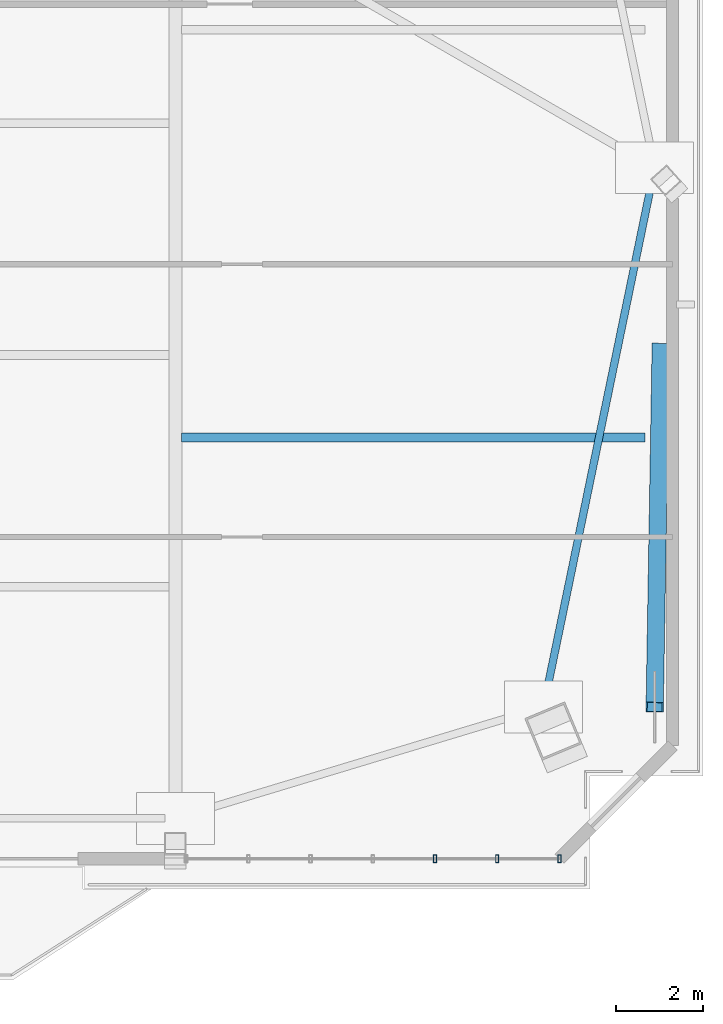
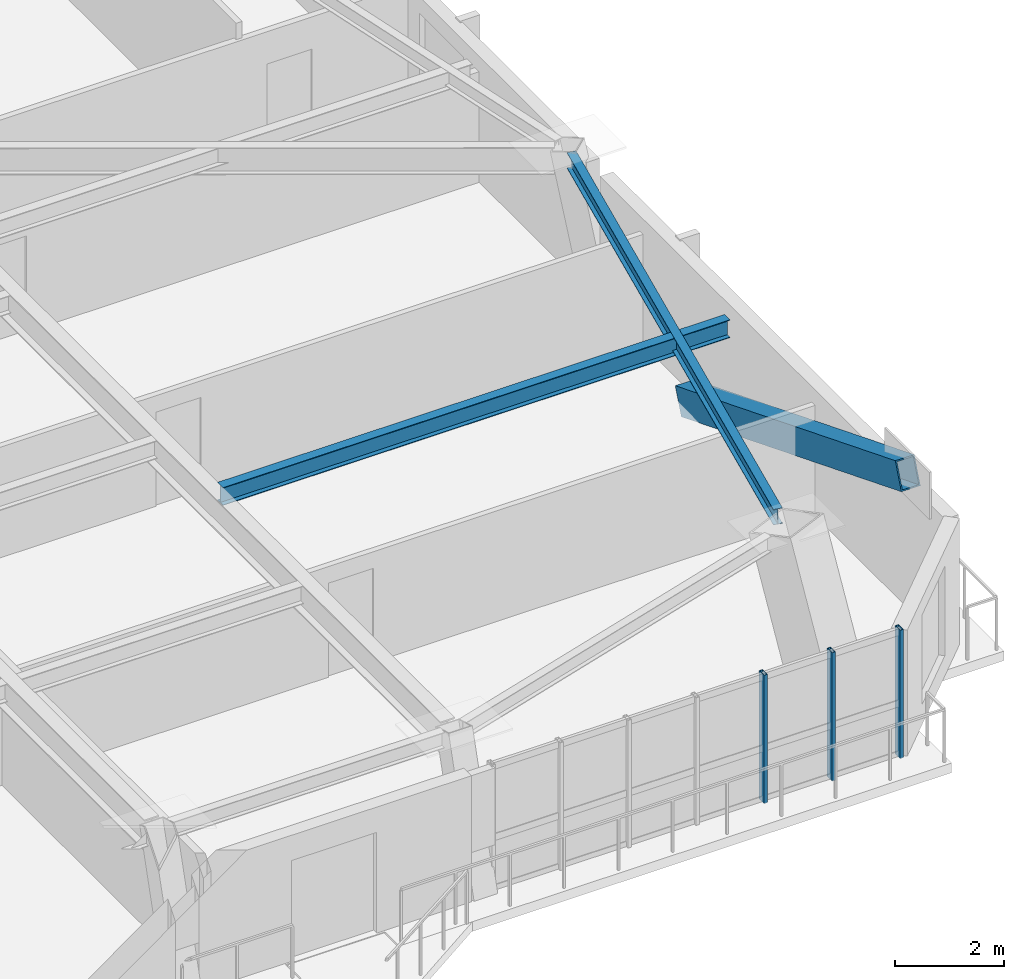
# One storey, part 6 of 16: 4 members, 2 beams, 1 element without a shape of its own.
"""IFC4 building model written with IfcOpenShell, lengths in metres."""

import ifcopenshell
import ifcopenshell.guid

model = None  # the IFC model being written
_history = None  # IfcOwnerHistory: only IFC2X3 demands one
_inside = {}  # id of a spatial element -> (the spatial element, [elements in it])
_under = {}  # id of a project, library or spatial element -> (it, [spatial elements below it])
_declared = {}  # id of a project -> (the project, [libraries it declares])
_typed = {}  # id of a type object -> (the type object, [elements of that type])
_made_of = {}  # id of a material, layer set ... -> (it, [elements and type objects made of it])


def new_model(schema):
    """Start an empty IFC model of exactly this schema.

    Asked for "IFC4X3", IfcOpenShell would pick the latest addendum, in which some entities
    have other attributes; the version numbers below select the first issue.
    IFC2X3 requires an IfcOwnerHistory on every rooted entity: one is made here for all.
    """
    global model, _history
    if schema == "IFC4X3":
        model = ifcopenshell.file(schema_version=(4, 3, 0, 0))
    else:
        model = ifcopenshell.file(schema=schema)
    _inside.clear()
    _under.clear()
    _declared.clear()
    _typed.clear()
    _made_of.clear()
    _history = None
    if model.schema == "IFC2X3":
        org = make("IfcOrganization", Name="unknown")
        user = make(
            "IfcPersonAndOrganization",
            ThePerson=make("IfcPerson", FamilyName="unknown"),
            TheOrganization=org,
        )
        app = make(
            "IfcApplication",
            ApplicationDeveloper=org,
            Version="unknown",
            ApplicationFullName="unknown",
            ApplicationIdentifier="unknown",
        )
        _history = make(
            "IfcOwnerHistory",
            OwningUser=user,
            OwningApplication=app,
            ChangeAction="ADDED",
            CreationDate=0,
        )
    return model


def make(cls, **values):
    """One entity of the class cls with the attributes given. An attribute that is None is left unset."""
    return model.create_entity(
        cls, **{name: value for name, value in values.items() if value is not None}
    )


def rooted(cls, **values):
    """An entity with a GlobalId (a new one), such as an element, a storey or a relation."""
    return make(cls, GlobalId=ifcopenshell.guid.new(), OwnerHistory=_history, **values)


def si_unit(unit_type, name, prefix=None):
    """IfcSIUnit, for example si_unit("LENGTHUNIT", "METRE", prefix="MILLI")."""
    return make("IfcSIUnit", UnitType=unit_type, Prefix=prefix, Name=name)


def assignment(units):
    """IfcUnitAssignment: the units of a project."""
    return None if units is None else make("IfcUnitAssignment", Units=units)


def point(xyz):
    """IfcCartesianPoint."""
    return None if xyz is None else make("IfcCartesianPoint", Coordinates=xyz)


def direction(xyz):
    """IfcDirection."""
    return None if xyz is None else make("IfcDirection", DirectionRatios=xyz)


def frame(location, z_axis=None, x_axis=None):
    """IfcAxis2Placement3D, a coordinate frame: its origin and axes. An axis left out is left unset."""
    return make(
        "IfcAxis2Placement3D",
        Location=point(location),
        Axis=direction(z_axis),
        RefDirection=direction(x_axis),
    )


def frame_2d(location, x_axis=None):
    """IfcAxis2Placement2D, a coordinate frame in the plane: its origin and x axis."""
    return make(
        "IfcAxis2Placement2D", Location=point(location), RefDirection=direction(x_axis)
    )


def origin():
    """The frame at (0, 0, 0) with its axes left unset."""
    return frame((0.0, 0.0, 0.0))


def origin_2d():
    """The frame at (0, 0) in the plane with its x axis left unset."""
    return frame_2d((0.0, 0.0))


def place(relative_to, where):
    """IfcLocalPlacement: puts the frame where relative to a parent placement (None: the world)."""
    return make(
        "IfcLocalPlacement", PlacementRelTo=relative_to, RelativePlacement=where
    )


def context(
    kind, dimensions, precision=None, world=None, true_north=None, identifier=None
):
    """IfcGeometricRepresentationContext, for example the 3D "Model" context."""
    return make(
        "IfcGeometricRepresentationContext",
        ContextIdentifier=identifier,
        ContextType=kind,
        CoordinateSpaceDimension=dimensions,
        Precision=precision,
        WorldCoordinateSystem=world,
        TrueNorth=true_north,
    )


def subcontext(parent, identifier, kind, view, scale=None):
    """IfcGeometricRepresentationSubContext, for example "Body" below "Model"."""
    return make(
        "IfcGeometricRepresentationSubContext",
        ContextIdentifier=identifier,
        ContextType=kind,
        ParentContext=parent,
        TargetScale=scale,
        TargetView=view,
    )


def project(units=None, contexts=None):
    """IfcProject with its units and contexts."""
    return rooted(
        "IfcProject",
        Name="project",
        RepresentationContexts=contexts,
        UnitsInContext=assignment(units),
    )


def spatial(cls, under=None, at=None, **own):
    """A site, building, storey or space (cls), placed at a placement, below another one or the project."""
    s = rooted(cls, ObjectPlacement=at, **own)
    if under is not None:
        _under.setdefault(under.id(), (under, []))[1].append(s)
    return s


def profile(cls, at=None, kind="AREA", **sizes):
    """A parametric profile (cls). Its sizes go by their IFC names, for example OverallWidth=200.0."""
    return make(cls, ProfileType=kind, Position=at, **sizes)


def hollow_rectangle(**sizes):
    """IfcRectangleHollowProfileDef."""
    return profile("IfcRectangleHollowProfileDef", **sizes)


def i_section(**sizes):
    """IfcIShapeProfileDef."""
    return profile("IfcIShapeProfileDef", **sizes)


def extrude(swept, where, along, depth):
    """IfcExtrudedAreaSolid: the profile swept, set in the frame where, extruded along a direction by depth."""
    return make(
        "IfcExtrudedAreaSolid",
        SweptArea=swept,
        Position=where,
        ExtrudedDirection=direction(along),
        Depth=depth,
    )


def shape(context_of_items, identifier, shape_type, items):
    """IfcShapeRepresentation: the items that make up one representation, for example the "Body"."""
    return make(
        "IfcShapeRepresentation",
        ContextOfItems=context_of_items,
        RepresentationIdentifier=identifier,
        RepresentationType=shape_type,
        Items=items,
    )


def source(mapping_origin, context_of_items, identifier, shape_type, items):
    """IfcRepresentationMap: a shape defined once, which mapped items show again and again."""
    return make(
        "IfcRepresentationMap",
        MappingOrigin=mapping_origin,
        MappedRepresentation=shape(context_of_items, identifier, shape_type, items),
    )


def transform(
    local_origin,
    x_axis=None,
    y_axis=None,
    z_axis=None,
    scale=None,
    scale2=None,
    scale3=None,
    uniform=True,
):
    """IfcCartesianTransformationOperator3D, or its non-uniform kind. x_axis, y_axis, z_axis: its Axis1, 2, 3."""
    if uniform:
        return make(
            "IfcCartesianTransformationOperator3D",
            Axis1=direction(x_axis),
            Axis2=direction(y_axis),
            LocalOrigin=point(local_origin),
            Scale=scale,
            Axis3=direction(z_axis),
        )
    return make(
        "IfcCartesianTransformationOperator3DnonUniform",
        Axis1=direction(x_axis),
        Axis2=direction(y_axis),
        LocalOrigin=point(local_origin),
        Scale=scale,
        Axis3=direction(z_axis),
        Scale2=scale2,
        Scale3=scale3,
    )


def mapped(mapping_source, mapping_target):
    """IfcMappedItem: shows the shape of a source again, moved by a transform."""
    return make(
        "IfcMappedItem", MappingSource=mapping_source, MappingTarget=mapping_target
    )


def material(Name=None, Category=None):
    """IfcMaterial."""
    return make("IfcMaterial", Name=Name, Category=Category)


def layer(
    of_material, thickness, ventilated=None, Name=None, Category=None, Priority=None
):
    """IfcMaterialLayer: one layer of a wall or slab, of a material (None: an air gap)."""
    return make(
        "IfcMaterialLayer",
        Material=of_material,
        LayerThickness=thickness,
        IsVentilated=ventilated,
        Name=Name,
        Category=Category,
        Priority=Priority,
    )


def layer_set(layers, Name=None):
    """IfcMaterialLayerSet."""
    return make("IfcMaterialLayerSet", MaterialLayers=layers, LayerSetName=Name)


def material_profile(
    of_material, cross_section, Name=None, Category=None, Priority=None
):
    """IfcMaterialProfile: a cross section and its material."""
    return make(
        "IfcMaterialProfile",
        Name=Name,
        Material=of_material,
        Profile=cross_section,
        Priority=Priority,
        Category=Category,
    )


def profile_set(profiles, Name=None, composite=None):
    """IfcMaterialProfileSet."""
    return make(
        "IfcMaterialProfileSet",
        Name=Name,
        MaterialProfiles=profiles,
        CompositeProfile=composite,
    )


def made_of(thing, what):
    """Note that an element or type object is made of a material, layer set ...; save() writes the relation."""
    if what is not None:
        _made_of.setdefault(what.id(), (what, []))[1].append(thing)
    return thing


def type_object(cls, material=None, **own):
    """A type object (cls), such as IfcWallType, which elements share."""
    return made_of(rooted(cls, **own), material)


def element(
    cls,
    number,
    at=None,
    inside=None,
    cuts=None,
    type_object=None,
    material=None,
    context=None,
    identifier="Body",
    shape_type=None,
    held_by="IfcProductDefinitionShape",
    body=None,
    shapes=None,
    **own,
):
    """One element of the class cls, such as IfcWall. Its Tag is "e" and its number.

    at: its placement. inside: the storey or other place that contains it. cuts: it is an
    opening in that element (IfcRelVoidsElement). A single representation is given by context,
    identifier, shape_type and body (its items); several are given by shapes. held_by: the class
    of the entity that holds the representations. save() writes the other relations.
    """
    e = rooted(cls, Tag="e%d" % number, ObjectPlacement=at, **own)
    if body is not None:
        shapes = [shape(context, identifier, shape_type, body)]
    if shapes is not None:
        e.Representation = make(held_by, Representations=shapes)
    if inside is not None:
        _inside.setdefault(inside.id(), (inside, []))[1].append(e)
    if cuts is not None:
        rooted(
            "IfcRelVoidsElement", RelatingBuildingElement=cuts, RelatedOpeningElement=e
        )
    if type_object is not None:
        _typed.setdefault(type_object.id(), (type_object, []))[1].append(e)
    return made_of(e, material)


def aggregate(whole, parts):
    """IfcRelAggregates: a whole, such as a stair, and the parts it consists of."""
    return rooted("IfcRelAggregates", RelatingObject=whole, RelatedObjects=parts)


def save(model, path):
    """Write the relations noted so far, then the file.

    IfcRelAggregates (storeys below a building ...), IfcRelContainedInSpatialStructure (elements
    in a storey), IfcRelDefinesByType, IfcRelAssociatesMaterial and IfcRelDeclares: one each for
    every whole, place, type object, material and project.
    """
    for whole, parts in _under.values():
        aggregate(whole, parts)
    for where, things in _inside.values():
        rooted(
            "IfcRelContainedInSpatialStructure",
            RelatedElements=things,
            RelatingStructure=where,
        )
    for kind, things in _typed.values():
        rooted("IfcRelDefinesByType", RelatedObjects=things, RelatingType=kind)
    for what, things in _made_of.values():
        rooted("IfcRelAssociatesMaterial", RelatedObjects=things, RelatingMaterial=what)
    for by, libraries in _declared.values():
        rooted("IfcRelDeclares", RelatingContext=by, RelatedDefinitions=libraries)
    model.write(path)


model = new_model("IFC4")

# Units and contexts
model_context = context("Model", 3, precision=1e-05, world=origin(), true_north=direction((0.0, 1.0)))
body_context = subcontext(model_context, "Body", "Model", "MODEL_VIEW")
ifc_project = project(units=[si_unit("LENGTHUNIT", "METRE"), si_unit("AREAUNIT", "SQUARE_METRE"), si_unit("VOLUMEUNIT", "CUBIC_METRE"), si_unit("PLANEANGLEUNIT", "RADIAN"), si_unit("MASSUNIT", "GRAM", prefix="KILO")], contexts=[model_context])

# Site, building, storey
site_placement = place(None, origin())
site = spatial("IfcSite", under=ifc_project, at=site_placement, CompositionType="ELEMENT")
building_placement = place(site_placement, origin())
building = spatial("IfcBuilding", under=site, at=building_placement, Name="Giltprow Tower", CompositionType="ELEMENT")
storey_placement = place(building_placement, frame((0.0, 0.0, 255.300048828125)))
storey = spatial("IfcBuildingStorey", under=building, at=storey_placement, Name="L65", CompositionType="ELEMENT", Elevation=255.300048828125)

# Beams
ifc_material_1 = material(Name="Structural steel Q355B", Category="steel")
ifc_material_profile_1 = material_profile(ifc_material_1, i_section(OverallWidth=0.175048828125, OverallDepth=0.35009765625, WebThickness=0.007080078125, FlangeThickness=0.010986328125, at=origin_2d()), Name="HN 350x175x7x11")
ifc_profile_set_1 = profile_set([ifc_material_profile_1], Name="Structural steel Q355B")
beam_type_1 = type_object("IfcBeamType", Name="BM-SPAN-HN350", PredefinedType="SPANDREL", material=ifc_profile_set_1)
shared_shape_1 = source(origin(), body_context, "Body", "SweptSolid", [
    extrude(i_section(OverallWidth=0.175048828125, OverallDepth=0.35009765625, WebThickness=0.007080078125, FlangeThickness=0.010986328125, at=origin_2d()), origin(), (0.0, 0.0, 1.0), 12.000244140625),
])
beam_1_placement = place(storey_placement, frame((59.15087890625, 19.089111328125, 3.010009765625), z_axis=(0.202000773979, 0.979385362006, 0.0), x_axis=(-0.979385362006, 0.202000773979, 0.0)))
element("IfcBeam", 1, at=beam_1_placement, inside=storey, type_object=beam_type_1, Name="L65 Perimeter Spandrel Beam MC_SE-E_MID", PredefinedType="SPANDREL", context=body_context, shape_type="MappedRepresentation", body=[
    mapped(shared_shape_1, transform((0.0, 0.0, 0.0), x_axis=(1.0, 0.0, 0.0), y_axis=(0.0, 1.0, 0.0), z_axis=(0.0, 0.0, 1.0), scale=1.0)),
])
ifc_material_profile_2 = material_profile(ifc_material_1, i_section(OverallWidth=0.199951171875, OverallDepth=0.39990234375, WebThickness=0.008056640625, FlangeThickness=0.012939453125, at=origin_2d()), Name="HN 400x200x8x13")
ifc_profile_set_2 = profile_set([ifc_material_profile_2], Name="Structural steel Q355B")
beam_type_2 = type_object("IfcBeamType", Name="BM-JOIST-HN400", PredefinedType="JOIST", material=ifc_profile_set_2)
shared_shape_2 = source(origin(), body_context, "Body", "SweptSolid", [
    extrude(i_section(OverallWidth=0.199951171875, OverallDepth=0.39990234375, WebThickness=0.008056640625, FlangeThickness=0.012939453125, at=origin_2d()), origin(), (0.0, 0.0, 1.0), 10.70703125),
])
beam_2_placement = place(storey_placement, frame((50.695068359375, 24.843017578125, 2.98486328125), z_axis=(1.0, 0.0, 0.0), x_axis=(0.0, 1.0, 0.0)))
element("IfcBeam", 2, at=beam_2_placement, inside=storey, type_object=beam_type_2, Name="L65 East Wing Floor Joist 1", PredefinedType="JOIST", context=body_context, shape_type="MappedRepresentation", body=[
    mapped(shared_shape_2, transform((0.0, 0.0, 0.0), x_axis=(1.0, 0.0, 0.0), y_axis=(0.0, 1.0, 0.0), z_axis=(0.0, 0.0, 1.0), scale=1.0)),
])

# Member
ifc_material_2 = material(Name="Structural steel Q420GJC", Category="steel")
ifc_material_profile_3 = material_profile(ifc_material_2, hollow_rectangle(XDim=0.39990234375, YDim=0.60009765625, WallThickness=0.028076171875, at=origin_2d()), Name="RHS 600x400x28")
ifc_profile_set_3 = profile_set([ifc_material_profile_3], Name="Structural steel Q420GJC")
member_type_1 = type_object("IfcMemberType", Name="MBR-MEGA-RHS600", PredefinedType="BRACE", material=ifc_profile_set_3)
shared_shape_3 = source(origin(), body_context, "Body", "SweptSolid", [
    extrude(hollow_rectangle(XDim=0.39990234375, YDim=0.60009765625, WallThickness=0.028076171875, at=origin_2d()), origin(), (0.0, 0.0, 1.0), 8.961181640625),
])
member_1_placement = place(storey_placement, frame((61.760009765625, 26.904052734375, 0.0), z_axis=(-0.015392966169, -0.92510364469, 0.379402560842), x_axis=(0.999861597581, -0.016636877213, 0.0)))
element("IfcMember", 3, at=member_1_placement, inside=storey, type_object=member_type_1, Name="L65 Chevron Mega-Brace E-D", PredefinedType="BRACE", context=body_context, shape_type="MappedRepresentation", body=[
    mapped(shared_shape_3, transform((0.0, 0.0, 0.0), x_axis=(1.0, 0.0, 0.0), y_axis=(0.0, 1.0, 0.0), z_axis=(0.0, 0.0, 1.0), scale=1.0)),
])

# Curtain wall, members
ifc_material_3 = material(Name="Anodized bronze", Category="metal")
ifc_layer = layer(ifc_material_3, 0.179931640625, Name="Anodized bronze")
ifc_layer_set = layer_set([ifc_layer], Name="Anodized bronze")
curtain_wall_type = type_object("IfcCurtainWallType", Name="CW-RES-SKY", PredefinedType="NOTDEFINED", material=ifc_layer_set)
curtain_wall_placement = place(storey_placement, origin())
curtain_wall = element("IfcCurtainWall", 4, at=curtain_wall_placement, inside=storey, type_object=curtain_wall_type, Name="L65 South Recessed Curtain Wall 6", PredefinedType="NOTDEFINED")
ifc_material_profile_4 = material_profile(ifc_material_3, hollow_rectangle(XDim=0.074951171875, YDim=0.179931640625, WallThickness=0.008056640625, at=origin_2d()), Name="RHS 180x75x8")
ifc_profile_set_4 = profile_set([ifc_material_profile_4], Name="Anodized bronze")
member_type_2 = type_object("IfcMemberType", Name="CW-MULLION-180x75", PredefinedType="MULLION", material=ifc_profile_set_4)
shared_shape_4 = source(origin(), body_context, "Body", "SweptSolid", [
    extrude(hollow_rectangle(XDim=0.074951171875, YDim=0.179931640625, WallThickness=0.008056640625, at=origin_2d()), origin(), (0.0, 0.0, 1.0), 2.869873046875),
])
member_2_placement = place(storey_placement, frame((56.548095703125, 15.113037109375, -0.02001953125), z_axis=(0.0, 0.0, 1.0), x_axis=(1.0, 0.0, 0.0)))
member_2 = element("IfcMember", 5, at=member_2_placement, type_object=member_type_2, Name="L65 South Recessed Curtain Wall 6 Mullion 5", PredefinedType="MULLION", context=body_context, shape_type="MappedRepresentation", body=[
    mapped(shared_shape_4, transform((0.0, 0.0, 0.0), x_axis=(1.0, 0.0, 0.0), y_axis=(0.0, 1.0, 0.0), z_axis=(0.0, 0.0, 1.0), scale=1.0)),
])
member_3_placement = place(storey_placement, frame((57.985107421875, 15.113037109375, -0.02001953125), z_axis=(0.0, 0.0, 1.0), x_axis=(1.0, 0.0, 0.0)))
member_3 = element("IfcMember", 6, at=member_3_placement, type_object=member_type_2, Name="L65 South Recessed Curtain Wall 6 Mullion 6", PredefinedType="MULLION", context=body_context, shape_type="MappedRepresentation", body=[
    mapped(shared_shape_4, transform((0.0, 0.0, 0.0), x_axis=(1.0, 0.0, 0.0), y_axis=(0.0, 1.0, 0.0), z_axis=(0.0, 0.0, 1.0), scale=1.0)),
])
member_4_placement = place(storey_placement, frame((59.422119140625, 15.113037109375, -0.02001953125), z_axis=(0.0, 0.0, 1.0), x_axis=(1.0, 0.0, 0.0)))
member_4 = element("IfcMember", 7, at=member_4_placement, type_object=member_type_2, Name="L65 South Recessed Curtain Wall 6 Mullion 7", PredefinedType="MULLION", context=body_context, shape_type="MappedRepresentation", body=[
    mapped(shared_shape_4, transform((0.0, 0.0, 0.0), x_axis=(1.0, 0.0, 0.0), y_axis=(0.0, 1.0, 0.0), z_axis=(0.0, 0.0, 1.0), scale=1.0)),
])
aggregate(curtain_wall, [member_2, member_3, member_4])

save(model, "model.ifc")
